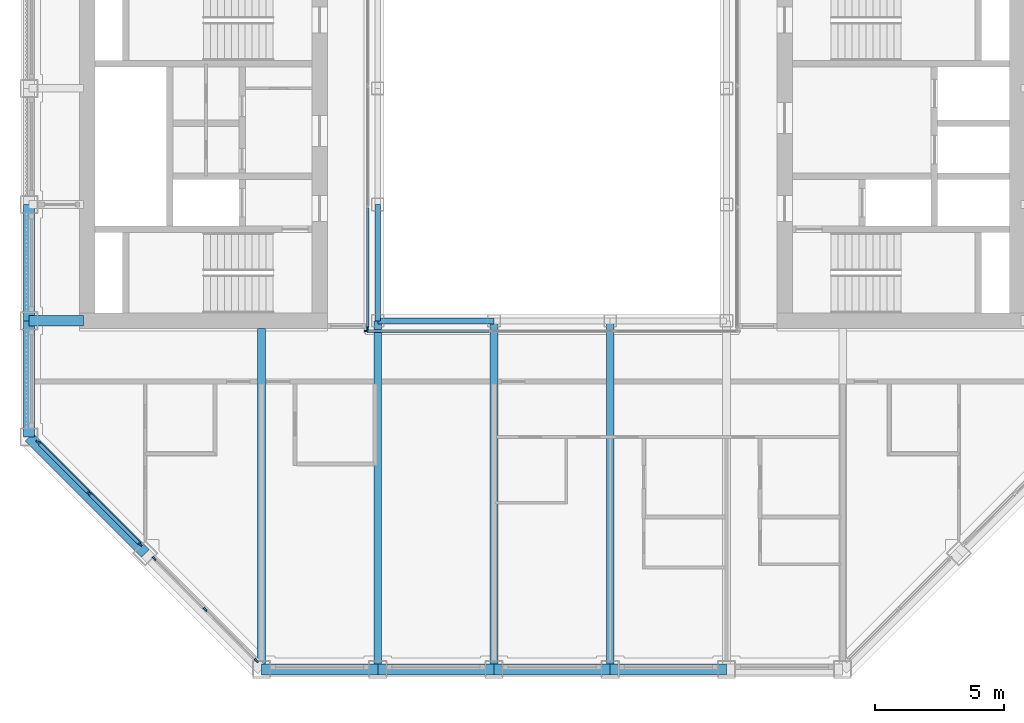
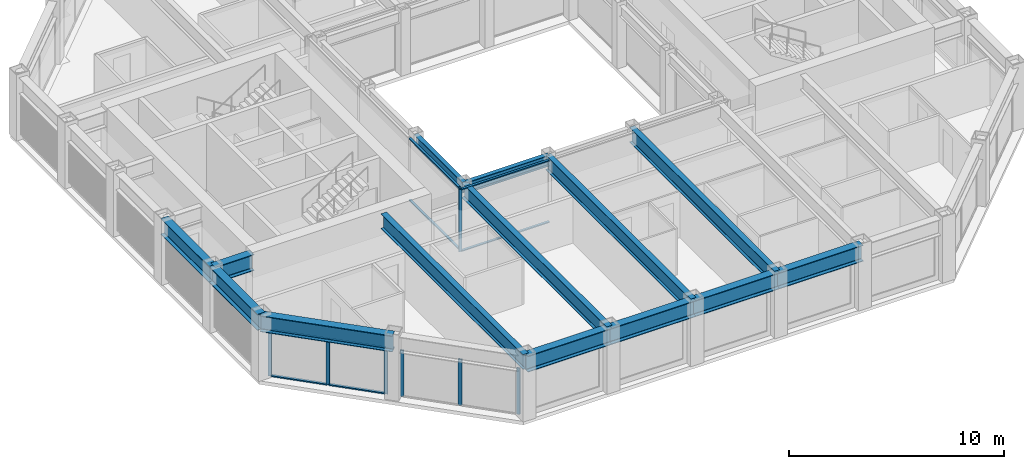
# One storey, part 2 of 17: 16 members, 14 beams, 4 elements without a shape of their own.
"""IFC4 building model written with IfcOpenShell, lengths in metres."""

from ifc_helpers import new_model, si_unit, direction, frame, origin, origin_2d, place, context, subcontext, project, spatial, rectangle, i_section, extrude, material, material_profile, profile_set, type_object, element, aggregate, save


model = new_model("IFC4")

# Units and contexts
model_context = context("Model", 3, precision=1e-05, world=origin(), true_north=direction((0.0, 1.0)))
body_context = subcontext(model_context, "Body", "Model", "MODEL_VIEW")
ifc_project = project(units=[si_unit("LENGTHUNIT", "METRE"), si_unit("AREAUNIT", "SQUARE_METRE"), si_unit("VOLUMEUNIT", "CUBIC_METRE"), si_unit("PLANEANGLEUNIT", "RADIAN"), si_unit("MASSUNIT", "GRAM", prefix="KILO")], contexts=[model_context])

# Site, building, storey
site_placement = place(None, origin())
site = spatial("IfcSite", under=ifc_project, at=site_placement, CompositionType="ELEMENT")
building_placement = place(site_placement, origin())
building = spatial("IfcBuilding", under=site, at=building_placement, Name="Msasa Ring Tower", CompositionType="ELEMENT")
storey_placement = place(building_placement, frame((0.0, 0.0, 242.050048828125)))
storey = spatial("IfcBuildingStorey", under=building, at=storey_placement, Name="L63", CompositionType="ELEMENT", Elevation=242.050048828125)

# Curtain wall, members
ifc_material_1 = material(Name="Aluminium curtain wall with clear glass", Category="aluminium")
curtain_wall_type_1 = type_object("IfcCurtainWallType", Name="CW-C CHAMFER CORNER CURTAIN WALL", PredefinedType="NOTDEFINED", material=ifc_material_1)
curtain_wall_1_placement = place(storey_placement, origin())
curtain_wall_1 = element("IfcCurtainWall", 1, at=curtain_wall_1_placement, inside=storey, type_object=curtain_wall_type_1, Name="Chamfer corner curtain wall SW L63", PredefinedType="NOTDEFINED")
ifc_material_2 = material(Name="Aluminium mullion", Category="aluminium")
ifc_material_profile_1 = material_profile(ifc_material_2, rectangle(XDim=0.06494140625, YDim=0.179931640625, at=origin_2d()), Name="AL 65x180")
ifc_profile_set_1 = profile_set([ifc_material_profile_1], Name="Aluminium mullion")
member_type_1 = type_object("IfcMemberType", Name="CW-C MULLION 65x180", PredefinedType="MULLION", material=ifc_profile_set_1)
member_1_placement = place(storey_placement, frame((-19.9052734375, -11.453369140625, 0.0), z_axis=(0.0, 0.0, 1.0), x_axis=(0.707106781187, 0.707106781187, 0.0)))
member_1 = element("IfcMember", 2, at=member_1_placement, type_object=member_type_1, Name="CW-C mullion 1", PredefinedType="MULLION", context=body_context, shape_type="SweptSolid", body=[
    extrude(rectangle(XDim=0.06494140625, YDim=0.179931640625, at=origin_2d()), origin(), (0.0, 0.0, 1.0), 2.62890625),
])
member_2_placement = place(storey_placement, frame((-17.92919921875, -13.42919921875, 0.0), z_axis=(0.0, 0.0, 1.0), x_axis=(0.707106781187, 0.707106781187, 0.0)))
member_2 = element("IfcMember", 3, at=member_2_placement, type_object=member_type_1, Name="CW-C mullion 2", PredefinedType="MULLION", context=body_context, shape_type="SweptSolid", body=[
    extrude(rectangle(XDim=0.06494140625, YDim=0.179931640625, at=origin_2d()), origin(), (0.0, 0.0, 1.0), 2.62890625),
])
member_3_placement = place(storey_placement, frame((-15.953369140625, -15.4052734375, 0.0), z_axis=(0.0, 0.0, 1.0), x_axis=(0.707106781187, 0.707106781187, 0.0)))
member_3 = element("IfcMember", 4, at=member_3_placement, type_object=member_type_1, Name="CW-C mullion 3", PredefinedType="MULLION", context=body_context, shape_type="SweptSolid", body=[
    extrude(rectangle(XDim=0.06494140625, YDim=0.179931640625, at=origin_2d()), origin(), (0.0, 0.0, 1.0), 2.62890625),
])

curtain_wall_2_placement = place(storey_placement, origin())
curtain_wall_2 = element("IfcCurtainWall", 5, at=curtain_wall_2_placement, inside=storey, type_object=curtain_wall_type_1, Name="Chamfer corner curtain wall SW L63", PredefinedType="NOTDEFINED")
member_4_placement = place(storey_placement, frame((-15.4052734375, -15.953369140625, 0.0), z_axis=(0.0, 0.0, 1.0), x_axis=(0.707106781187, 0.707106781187, 0.0)))
member_4 = element("IfcMember", 6, at=member_4_placement, type_object=member_type_1, Name="CW-C mullion 1", PredefinedType="MULLION", context=body_context, shape_type="SweptSolid", body=[
    extrude(rectangle(XDim=0.06494140625, YDim=0.179931640625, at=origin_2d()), origin(), (0.0, 0.0, 1.0), 2.62890625),
])
member_5_placement = place(storey_placement, frame((-13.42919921875, -17.92919921875, 0.0), z_axis=(0.0, 0.0, 1.0), x_axis=(0.707106781187, 0.707106781187, 0.0)))
member_5 = element("IfcMember", 7, at=member_5_placement, type_object=member_type_1, Name="CW-C mullion 2", PredefinedType="MULLION", context=body_context, shape_type="SweptSolid", body=[
    extrude(rectangle(XDim=0.06494140625, YDim=0.179931640625, at=origin_2d()), origin(), (0.0, 0.0, 1.0), 2.62890625),
])
member_6_placement = place(storey_placement, frame((-11.453369140625, -19.9052734375, 0.0), z_axis=(0.0, 0.0, 1.0), x_axis=(0.707106781187, 0.707106781187, 0.0)))
member_6 = element("IfcMember", 8, at=member_6_placement, type_object=member_type_1, Name="CW-C mullion 3", PredefinedType="MULLION", context=body_context, shape_type="SweptSolid", body=[
    extrude(rectangle(XDim=0.06494140625, YDim=0.179931640625, at=origin_2d()), origin(), (0.0, 0.0, 1.0), 2.62890625),
])
aggregate(curtain_wall_2, [member_4, member_5, member_6])

# Member
ifc_material_3 = material(Name="Aluminium transom", Category="aluminium")
ifc_material_profile_2 = material_profile(ifc_material_3, rectangle(XDim=0.139892578125, YDim=0.06494140625, at=origin_2d()), Name="AL 65x140")
ifc_profile_set_2 = profile_set([ifc_material_profile_2], Name="Aluminium transom")
member_type_2 = type_object("IfcMemberType", Name="CW-C TRANSOM 65x140", PredefinedType="USERDEFINED", material=ifc_profile_set_2)
member_7_placement = place(storey_placement, frame((-19.88232421875, -11.476318359375, 0.032470703125), z_axis=(0.707106781187, -0.707106781187, 0.0), x_axis=(0.707106781187, 0.707106781187, 0.0)))
member_7 = element("IfcMember", 9, at=member_7_placement, type_object=member_type_2, Name="CW-C transom 1.1", ObjectType="TRANSOM", PredefinedType="USERDEFINED", context=body_context, shape_type="SweptSolid", body=[
    extrude(rectangle(XDim=0.139892578125, YDim=0.06494140625, at=origin_2d()), origin(), (0.0, 0.0, 1.0), 2.729248046875),
])

member_8_placement = place(storey_placement, frame((-19.88232421875, -11.476318359375, 2.596435546875), z_axis=(0.707106781187, -0.707106781187, 0.0), x_axis=(0.707106781187, 0.707106781187, 0.0)))
member_8 = element("IfcMember", 10, at=member_8_placement, type_object=member_type_2, Name="CW-C transom 1.2", ObjectType="TRANSOM", PredefinedType="USERDEFINED", context=body_context, shape_type="SweptSolid", body=[
    extrude(rectangle(XDim=0.139892578125, YDim=0.06494140625, at=origin_2d()), origin(), (0.0, 0.0, 1.0), 2.729248046875),
])

member_9_placement = place(storey_placement, frame((-17.90625, -13.452392578125, 0.032470703125), z_axis=(0.707106781187, -0.707106781187, 0.0), x_axis=(0.707106781187, 0.707106781187, 0.0)))
member_9 = element("IfcMember", 11, at=member_9_placement, type_object=member_type_2, Name="CW-C transom 2.1", ObjectType="TRANSOM", PredefinedType="USERDEFINED", context=body_context, shape_type="SweptSolid", body=[
    extrude(rectangle(XDim=0.139892578125, YDim=0.06494140625, at=origin_2d()), origin(), (0.0, 0.0, 1.0), 2.729248046875),
])

member_10_placement = place(storey_placement, frame((-17.90625, -13.452392578125, 2.596435546875), z_axis=(0.707106781187, -0.707106781187, 0.0), x_axis=(0.707106781187, 0.707106781187, 0.0)))
member_10 = element("IfcMember", 12, at=member_10_placement, type_object=member_type_2, Name="CW-C transom 2.2", ObjectType="TRANSOM", PredefinedType="USERDEFINED", context=body_context, shape_type="SweptSolid", body=[
    extrude(rectangle(XDim=0.139892578125, YDim=0.06494140625, at=origin_2d()), origin(), (0.0, 0.0, 1.0), 2.729248046875),
])

aggregate(curtain_wall_1, [member_1, member_2, member_3, member_7, member_8, member_9, member_10])

# Curtain wall, member
ifc_material_4 = material(Name="Aluminium curtain wall with clear glass", Category="aluminium")
curtain_wall_type_2 = type_object("IfcCurtainWallType", Name="CW-W LIGHT WELL CURTAIN WALL", PredefinedType="NOTDEFINED", material=ifc_material_4)
curtain_wall_3_placement = place(storey_placement, origin())
curtain_wall_3 = element("IfcCurtainWall", 13, at=curtain_wall_3_placement, inside=storey, type_object=curtain_wall_type_2, Name="Light well curtain wall S L63", PredefinedType="NOTDEFINED")
ifc_material_5 = material(Name="Aluminium mullion", Category="aluminium")
ifc_material_profile_3 = material_profile(ifc_material_5, rectangle(XDim=0.06005859375, YDim=0.159912109375, at=origin_2d()), Name="AL 60x160")
ifc_profile_set_3 = profile_set([ifc_material_profile_3], Name="Aluminium mullion")
member_type_3 = type_object("IfcMemberType", Name="CW-W MULLION 60x160", PredefinedType="MULLION", material=ifc_profile_set_3)
member_11_placement = place(storey_placement, frame((-7.199951171875, -7.14990234375, 0.0), z_axis=(0.0, 0.0, 1.0), x_axis=(0.0, 1.0, 0.0)))
member_11 = element("IfcMember", 14, at=member_11_placement, type_object=member_type_3, Name="CW-W mullion 1", PredefinedType="MULLION", context=body_context, shape_type="SweptSolid", body=[
    extrude(rectangle(XDim=0.06005859375, YDim=0.159912109375, at=origin_2d()), origin(), (0.0, 0.0, 1.0), 3.550048828125),
])

curtain_wall_4_placement = place(storey_placement, origin())
curtain_wall_4 = element("IfcCurtainWall", 15, at=curtain_wall_4_placement, inside=storey, type_object=curtain_wall_type_2, Name="Light well curtain wall W L63", PredefinedType="NOTDEFINED")
member_12_placement = place(storey_placement, frame((-7.14990234375, -7.0400390625, 0.0), z_axis=(0.0, 0.0, 1.0), x_axis=(-1.0, 0.0, 0.0)))
member_12 = element("IfcMember", 16, at=member_12_placement, type_object=member_type_3, Name="CW-W mullion 1", PredefinedType="MULLION", context=body_context, shape_type="SweptSolid", body=[
    extrude(rectangle(XDim=0.06005859375, YDim=0.159912109375, at=origin_2d()), origin(), (0.0, 0.0, 1.0), 3.550048828125),
])

# Member
ifc_material_6 = material(Name="Aluminium transom", Category="aluminium")
ifc_material_profile_4 = material_profile(ifc_material_6, rectangle(XDim=0.1201171875, YDim=0.06005859375, at=origin_2d()), Name="AL 60x120")
ifc_profile_set_4 = profile_set([ifc_material_profile_4], Name="Aluminium transom")
member_type_4 = type_object("IfcMemberType", Name="CW-W TRANSOM 60x120", PredefinedType="USERDEFINED", material=ifc_profile_set_4)
member_13_placement = place(storey_placement, frame((-7.169921875, -7.14990234375, 0.030029296875), z_axis=(1.0, 0.0, 0.0), x_axis=(0.0, 1.0, 0.0)))
member_13 = element("IfcMember", 17, at=member_13_placement, type_object=member_type_4, Name="CW-W transom 1.1", ObjectType="TRANSOM", PredefinedType="USERDEFINED", context=body_context, shape_type="SweptSolid", body=[
    extrude(rectangle(XDim=0.1201171875, YDim=0.06005859375, at=origin_2d()), origin(), (0.0, 0.0, 1.0), 4.72998046875),
])

member_14_placement = place(storey_placement, frame((-7.169921875, -7.14990234375, 3.52001953125), z_axis=(1.0, 0.0, 0.0), x_axis=(0.0, 1.0, 0.0)))
member_14 = element("IfcMember", 18, at=member_14_placement, type_object=member_type_4, Name="CW-W transom 1.2", ObjectType="TRANSOM", PredefinedType="USERDEFINED", context=body_context, shape_type="SweptSolid", body=[
    extrude(rectangle(XDim=0.1201171875, YDim=0.06005859375, at=origin_2d()), origin(), (0.0, 0.0, 1.0), 4.72998046875),
])

aggregate(curtain_wall_3, [member_11, member_13, member_14])

member_15_placement = place(storey_placement, frame((-7.14990234375, -7.010009765625, 0.030029296875), z_axis=(0.0, 1.0, 0.0), x_axis=(-1.0, 0.0, 0.0)))
member_15 = element("IfcMember", 19, at=member_15_placement, type_object=member_type_4, Name="CW-W transom 1.1", ObjectType="TRANSOM", PredefinedType="USERDEFINED", context=body_context, shape_type="SweptSolid", body=[
    extrude(rectangle(XDim=0.1201171875, YDim=0.06005859375, at=origin_2d()), origin(), (0.0, 0.0, 1.0), 4.623291015625),
])

member_16_placement = place(storey_placement, frame((-7.14990234375, -7.010009765625, 3.52001953125), z_axis=(0.0, 1.0, 0.0), x_axis=(-1.0, 0.0, 0.0)))
member_16 = element("IfcMember", 20, at=member_16_placement, type_object=member_type_4, Name="CW-W transom 1.2", ObjectType="TRANSOM", PredefinedType="USERDEFINED", context=body_context, shape_type="SweptSolid", body=[
    extrude(rectangle(XDim=0.1201171875, YDim=0.06005859375, at=origin_2d()), origin(), (0.0, 0.0, 1.0), 4.623291015625),
])

aggregate(curtain_wall_4, [member_12, member_15, member_16])

# Beams
ifc_material_7 = material(Name="Steel S355", Category="steel")
ifc_material_profile_5 = material_profile(ifc_material_7, i_section(OverallWidth=0.293701171875, OverallDepth=0.850830078125, WebThickness=0.01611328125, FlangeThickness=0.02685546875, FilletRadius=0.017822265625, at=origin_2d()), Name="UB 838x292x226")
ifc_profile_set_5 = profile_set([ifc_material_profile_5], Name="Steel S355")
beam_type_1 = type_object("IfcBeamType", Name="FB5 UB 838x292x226", PredefinedType="BEAM", material=ifc_profile_set_5)
beam_1_placement = place(storey_placement, frame((-11.25, -20.25, 3.12451171875), z_axis=(0.0, 1.0, 0.0), x_axis=(-1.0, 0.0, 0.0)))
element("IfcBeam", 21, at=beam_1_placement, inside=storey, type_object=beam_type_1, Name="Floor beam S-11.25 under L64", PredefinedType="BEAM", context=body_context, shape_type="SweptSolid", body=[
    extrude(i_section(OverallWidth=0.293701171875, OverallDepth=0.850830078125, WebThickness=0.01611328125, FlangeThickness=0.02685546875, FilletRadius=0.017822265625, at=origin_2d()), origin(), (0.0, 0.0, 1.0), 13.199951171875),
])
for number, where, z_axis, x_axis, name in (
    (22, (-6.75, -20.25, 3.12451171875), (0.0, 1.0, 0.0), (-1.0, 0.0, 0.0), "Floor beam S-6.75 under L64"),
    (23, (-2.25, -20.25, 3.12451171875), (0.0, 1.0, 0.0), (-1.0, 0.0, 0.0), "Floor beam S-2.25 under L64"),
    (24, (2.25, -20.25, 3.12451171875), (0.0, 1.0, 0.0), (-1.0, 0.0, 0.0), "Floor beam S+2.25 under L64"),
):
    element("IfcBeam", number, at=place(storey_placement, frame(where, z_axis=z_axis, x_axis=x_axis)), inside=storey, type_object=beam_type_1, Name=name, PredefinedType="BEAM", context=body_context, shape_type="SweptSolid", body=[
        extrude(i_section(OverallWidth=0.293701171875, OverallDepth=0.850830078125, WebThickness=0.01611328125, FlangeThickness=0.02685546875, FilletRadius=0.017822265625, at=origin_2d()), origin(), (0.0, 0.0, 1.0), 13.5),
    ])
ifc_material_8 = material(Name="Steel S355", Category="steel")
ifc_material_profile_6 = material_profile(ifc_material_8, i_section(OverallWidth=0.42041015625, OverallDepth=0.9208984375, WebThickness=0.021484375, FlangeThickness=0.03662109375, FilletRadius=0.024169921875, at=origin_2d()), Name="UB 914x419x388")
ifc_profile_set_6 = profile_set([ifc_material_profile_6], Name="Steel S355")
beam_type_2 = type_object("IfcBeamType", Name="GB1 UB 914x419x388", PredefinedType="BEAM", material=ifc_profile_set_6)
beam_2_placement = place(storey_placement, frame((-18.14990234375, -6.75, 3.08935546875), z_axis=(-1.0, 0.0, 0.0), x_axis=(0.0, -1.0, 0.0)))
element("IfcBeam", 25, at=beam_2_placement, inside=storey, type_object=beam_type_2, Name="Girder W -6.75 under L64", PredefinedType="BEAM", context=body_context, shape_type="SweptSolid", body=[
    extrude(i_section(OverallWidth=0.42041015625, OverallDepth=0.9208984375, WebThickness=0.021484375, FlangeThickness=0.03662109375, FilletRadius=0.024169921875, at=origin_2d()), origin(), (0.0, 0.0, 1.0), 2.10009765625),
])
ifc_material_9 = material(Name="Steel S355", Category="steel")
ifc_material_profile_7 = material_profile(ifc_material_9, i_section(OverallWidth=0.230224609375, OverallDepth=0.6171875, WebThickness=0.01318359375, FlangeThickness=0.022216796875, FilletRadius=0.0126953125, at=origin_2d()), Name="UB 610x229x140")
ifc_profile_set_7 = profile_set([ifc_material_profile_7], Name="Steel S355")
beam_type_3 = type_object("IfcBeamType", Name="RB1 UB 610x229x140", PredefinedType="BEAM", material=ifc_profile_set_7)
for number, where, z_axis, x_axis, name in (
    (26, (-6.75, -2.25, 3.241455078125), (0.0, -1.0, 0.0), (1.0, 0.0, 0.0), "Inner ring beam IR-6.75-2.25 under L64"),
    (27, (-6.75, -6.75, 3.241455078125), (1.0, 0.0, 0.0), (0.0, 1.0, 0.0), "Inner ring beam IR-6.75-6.75 under L64"),
):
    element("IfcBeam", number, at=place(storey_placement, frame(where, z_axis=z_axis, x_axis=x_axis)), inside=storey, type_object=beam_type_3, Name=name, PredefinedType="BEAM", context=body_context, shape_type="SweptSolid", body=[
        extrude(i_section(OverallWidth=0.230224609375, OverallDepth=0.6171875, WebThickness=0.01318359375, FlangeThickness=0.022216796875, FilletRadius=0.0126953125, at=origin_2d()), origin(), (0.0, 0.0, 1.0), 4.5),
    ])
ifc_material_10 = material(Name="Steel S355", Category="steel")
ifc_material_profile_8 = material_profile(ifc_material_10, i_section(OverallWidth=0.42041015625, OverallDepth=0.9208984375, WebThickness=0.021484375, FlangeThickness=0.03662109375, FilletRadius=0.024169921875, at=origin_2d()), Name="UB 914x419x388")
ifc_profile_set_8 = profile_set([ifc_material_profile_8], Name="Steel S355")
beam_type_4 = type_object("IfcBeamType", Name="SB1 UB 914x419x388", PredefinedType="SPANDREL", material=ifc_profile_set_8)
for number, where, z_axis, x_axis, name in (
    (28, (-20.25, -2.25, 3.08935546875), (0.0, -1.0, 0.0), (1.0, 0.0, 0.0), "Spandrel W-2.25 to W-6.75 under L64"),
    (29, (-20.25, -6.75, 3.08935546875), (0.0, -1.0, 0.0), (1.0, 0.0, 0.0), "Spandrel W-6.75 to W-11.25 under L64"),
):
    element("IfcBeam", number, at=place(storey_placement, frame(where, z_axis=z_axis, x_axis=x_axis)), inside=storey, type_object=beam_type_4, Name=name, PredefinedType="SPANDREL", context=body_context, shape_type="SweptSolid", body=[
        extrude(i_section(OverallWidth=0.42041015625, OverallDepth=0.9208984375, WebThickness=0.021484375, FlangeThickness=0.03662109375, FilletRadius=0.024169921875, at=origin_2d()), origin(), (0.0, 0.0, 1.0), 4.5),
    ])
beam_3_placement = place(storey_placement, frame((-20.25, -11.25, 3.08935546875), z_axis=(0.707106781187, -0.707106781187, 0.0), x_axis=(0.707106781187, 0.707106781187, 0.0)))
element("IfcBeam", 30, at=beam_3_placement, inside=storey, type_object=beam_type_4, Name="Spandrel W-11.25 to SW under L64", PredefinedType="SPANDREL", context=body_context, shape_type="SweptSolid", body=[
    extrude(i_section(OverallWidth=0.42041015625, OverallDepth=0.9208984375, WebThickness=0.021484375, FlangeThickness=0.03662109375, FilletRadius=0.024169921875, at=origin_2d()), origin(), (0.0, 0.0, 1.0), 6.364013671875),
])
for number, where, z_axis, x_axis, name in (
    (31, (-11.25, -20.25, 3.08935546875), (1.0, 0.0, 0.0), (0.0, 1.0, 0.0), "Spandrel S-11.25 to S-6.75 under L64"),
    (32, (-6.75, -20.25, 3.08935546875), (1.0, 0.0, 0.0), (0.0, 1.0, 0.0), "Spandrel S-6.75 to S-2.25 under L64"),
    (33, (-2.25, -20.25, 3.08935546875), (1.0, 0.0, 0.0), (0.0, 1.0, 0.0), "Spandrel S-2.25 to S+2.25 under L64"),
    (34, (2.25, -20.25, 3.08935546875), (1.0, 0.0, 0.0), (0.0, 1.0, 0.0), "Spandrel S+2.25 to S+6.75 under L64"),
):
    element("IfcBeam", number, at=place(storey_placement, frame(where, z_axis=z_axis, x_axis=x_axis)), inside=storey, type_object=beam_type_4, Name=name, PredefinedType="SPANDREL", context=body_context, shape_type="SweptSolid", body=[
        extrude(i_section(OverallWidth=0.42041015625, OverallDepth=0.9208984375, WebThickness=0.021484375, FlangeThickness=0.03662109375, FilletRadius=0.024169921875, at=origin_2d()), origin(), (0.0, 0.0, 1.0), 4.5),
    ])

save(model, "model.ifc")
